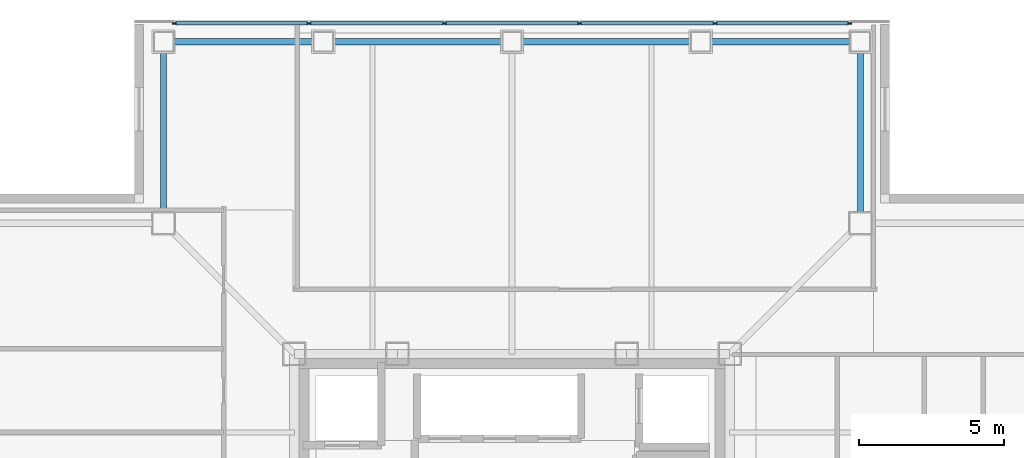
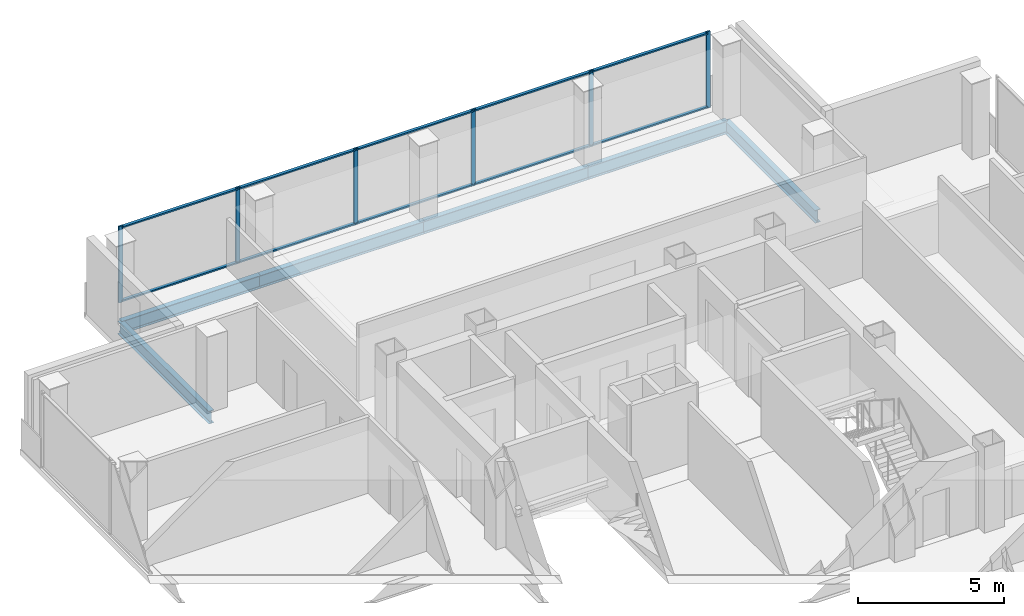
# One storey, part 7 of 16: 16 members, 6 beams, 1 element without a shape of its own.
"""IFC4 building model written with IfcOpenShell, lengths in metres."""

from ifc_helpers import new_model, si_unit, direction, frame, origin, origin_2d, place, context, subcontext, project, spatial, rectangle, i_section, extrude, material, layer, layer_set, material_profile, profile_set, type_object, element, aggregate, save


model = new_model("IFC4")

# Units and contexts
model_context = context("Model", 3, precision=1e-05, world=origin(), true_north=direction((0.0, 1.0)))
body_context = subcontext(model_context, "Body", "Model", "MODEL_VIEW")
ifc_project = project(units=[si_unit("LENGTHUNIT", "METRE"), si_unit("AREAUNIT", "SQUARE_METRE"), si_unit("VOLUMEUNIT", "CUBIC_METRE"), si_unit("PLANEANGLEUNIT", "RADIAN"), si_unit("MASSUNIT", "GRAM", prefix="KILO")], contexts=[model_context])

# Site, building, storey
site_placement = place(None, origin())
site = spatial("IfcSite", under=ifc_project, at=site_placement, CompositionType="ELEMENT")
building_placement = place(site_placement, origin())
building = spatial("IfcBuilding", under=site, at=building_placement, Name="Trevonay Congress Spire", CompositionType="ELEMENT")
storey_placement = place(building_placement, frame((0.0, 0.0, 297.199951171875)))
storey = spatial("IfcBuildingStorey", under=building, at=storey_placement, Name="L78", CompositionType="ELEMENT", Elevation=297.199951171875)

# Beams
ifc_material_1 = material(Name="Steel ASTM A572 Grade 50", Category="steel")
ifc_material_profile_1 = material_profile(ifc_material_1, i_section(OverallWidth=0.208984375, OverallDepth=0.532958984375, WebThickness=0.01025390625, FlangeThickness=0.015625, FilletRadius=0.014892578125, at=origin_2d()), Name="W530x92")
ifc_profile_set_1 = profile_set([ifc_material_profile_1], Name="Steel ASTM A572 Grade 50")
beam_type = type_object("IfcBeamType", Name="BM-RING-W530X92", PredefinedType="BEAM", material=ifc_profile_set_1)
beam_1_placement = place(storey_placement, frame((-12.0, 18.25, -0.50634765625), z_axis=(1.0, 0.0, 0.0), x_axis=(0.0, 1.0, 0.0)))
element("IfcBeam", 1, at=beam_1_placement, inside=storey, type_object=beam_type, Name="L78 structural beam BM-L78-PN1", PredefinedType="BEAM", context=body_context, shape_type="SweptSolid", body=[
    extrude(i_section(OverallWidth=0.208984375, OverallDepth=0.532958984375, WebThickness=0.01025390625, FlangeThickness=0.015625, FilletRadius=0.014892578125, at=origin_2d()), origin(), (0.0, 0.0, 1.0), 5.5),
])
for number, where, z_axis, x_axis, name in (
    (2, (-6.5, 18.25, -0.50634765625), (1.0, 0.0, 0.0), (0.0, 1.0, 0.0), "L78 structural beam BM-L78-PN2"),
    (3, (0.0, 18.25, -0.50634765625), (1.0, 0.0, 0.0), (0.0, 1.0, 0.0), "L78 structural beam BM-L78-PN3"),
):
    element("IfcBeam", number, at=place(storey_placement, frame(where, z_axis=z_axis, x_axis=x_axis)), inside=storey, type_object=beam_type, Name=name, PredefinedType="BEAM", context=body_context, shape_type="SweptSolid", body=[
        extrude(i_section(OverallWidth=0.208984375, OverallDepth=0.532958984375, WebThickness=0.01025390625, FlangeThickness=0.015625, FilletRadius=0.014892578125, at=origin_2d()), origin(), (0.0, 0.0, 1.0), 6.5),
    ])
beam_2_placement = place(storey_placement, frame((6.5, 18.25, -0.50634765625), z_axis=(1.0, 0.0, 0.0), x_axis=(0.0, 1.0, 0.0)))
element("IfcBeam", 4, at=beam_2_placement, inside=storey, type_object=beam_type, Name="L78 structural beam BM-L78-PN4", PredefinedType="BEAM", context=body_context, shape_type="SweptSolid", body=[
    extrude(i_section(OverallWidth=0.208984375, OverallDepth=0.532958984375, WebThickness=0.01025390625, FlangeThickness=0.015625, FilletRadius=0.014892578125, at=origin_2d()), origin(), (0.0, 0.0, 1.0), 5.5),
])
for number, where, z_axis, x_axis, name in (
    (5, (12.0, 18.25, -0.50634765625), (0.0, -1.0, 0.0), (1.0, 0.0, 0.0), "L78 structural beam BM-L78-N1NE"),
    (6, (-12.0, 18.25, -0.50634765625), (0.0, -1.0, 0.0), (1.0, 0.0, 0.0), "L78 structural beam BM-L78-N1NW"),
):
    element("IfcBeam", number, at=place(storey_placement, frame(where, z_axis=z_axis, x_axis=x_axis)), inside=storey, type_object=beam_type, Name=name, PredefinedType="BEAM", context=body_context, shape_type="SweptSolid", body=[
        extrude(i_section(OverallWidth=0.208984375, OverallDepth=0.532958984375, WebThickness=0.01025390625, FlangeThickness=0.015625, FilletRadius=0.014892578125, at=origin_2d()), origin(), (0.0, 0.0, 1.0), 6.25),
    ])

# Curtain wall, members
ifc_material_2 = material(Name="Pale Anodised Aluminium EN AW-6063-T6", Category="aluminium")
ifc_layer = layer(ifc_material_2, 0.1650390625, Name="Pale Anodised Aluminium EN AW-6063-T6")
ifc_layer_set = layer_set([ifc_layer], Name="Pale Anodised Aluminium EN AW-6063-T6")
curtain_wall_type = type_object("IfcCurtainWallType", Name="CW-SYS05-DIPLOM-PALE-METAL", PredefinedType="NOTDEFINED", material=ifc_layer_set)
curtain_wall_placement = place(storey_placement, origin())
curtain_wall = element("IfcCurtainWall", 7, at=curtain_wall_placement, inside=storey, type_object=curtain_wall_type, Name="L78 N unitised curtain wall", PredefinedType="NOTDEFINED")
ifc_material_profile_2 = material_profile(ifc_material_2, rectangle(XDim=0.06005859375, YDim=0.159912109375, at=origin_2d()), Name="CW-MULLION-160-ALUMINIUM")
ifc_profile_set_2 = profile_set([ifc_material_profile_2], Name="Pale Anodised Aluminium EN AW-6063-T6")
member_type_1 = type_object("IfcMemberType", Name="CW-MULLION-160-ALUMINIUM", PredefinedType="MULLION", material=ifc_profile_set_2)
member_1_placement = place(storey_placement, frame((-11.6201171875, 18.8798828125, 0.0), z_axis=(0.0, 0.0, 1.0), x_axis=(0.0, 1.0, 0.0)))
member_1 = element("IfcMember", 8, at=member_1_placement, type_object=member_type_1, Name="CW05 mullion 1", PredefinedType="MULLION", context=body_context, shape_type="SweptSolid", body=[
    extrude(rectangle(XDim=0.06005859375, YDim=0.159912109375, at=origin_2d()), origin(), (0.0, 0.0, 1.0), 3.199951171875),
])
member_2_placement = place(storey_placement, frame((-6.989990234375, 18.8798828125, 0.0), z_axis=(0.0, 0.0, 1.0), x_axis=(0.0, 1.0, 0.0)))
member_2 = element("IfcMember", 9, at=member_2_placement, type_object=member_type_1, Name="CW05 mullion 2", PredefinedType="MULLION", context=body_context, shape_type="SweptSolid", body=[
    extrude(rectangle(XDim=0.06005859375, YDim=0.159912109375, at=origin_2d()), origin(), (0.0, 0.0, 1.0), 3.199951171875),
])
member_3_placement = place(storey_placement, frame((-2.330078125, 18.8798828125, 0.0), z_axis=(0.0, 0.0, 1.0), x_axis=(0.0, 1.0, 0.0)))
member_3 = element("IfcMember", 10, at=member_3_placement, type_object=member_type_1, Name="CW05 mullion 3", PredefinedType="MULLION", context=body_context, shape_type="SweptSolid", body=[
    extrude(rectangle(XDim=0.06005859375, YDim=0.159912109375, at=origin_2d()), origin(), (0.0, 0.0, 1.0), 3.199951171875),
])
member_4_placement = place(storey_placement, frame((2.330078125, 18.8798828125, 0.0), z_axis=(0.0, 0.0, 1.0), x_axis=(0.0, 1.0, 0.0)))
member_4 = element("IfcMember", 11, at=member_4_placement, type_object=member_type_1, Name="CW05 mullion 4", PredefinedType="MULLION", context=body_context, shape_type="SweptSolid", body=[
    extrude(rectangle(XDim=0.06005859375, YDim=0.159912109375, at=origin_2d()), origin(), (0.0, 0.0, 1.0), 3.199951171875),
])
member_5_placement = place(storey_placement, frame((6.989990234375, 18.8798828125, 0.0), z_axis=(0.0, 0.0, 1.0), x_axis=(0.0, 1.0, 0.0)))
member_5 = element("IfcMember", 12, at=member_5_placement, type_object=member_type_1, Name="CW05 mullion 5", PredefinedType="MULLION", context=body_context, shape_type="SweptSolid", body=[
    extrude(rectangle(XDim=0.06005859375, YDim=0.159912109375, at=origin_2d()), origin(), (0.0, 0.0, 1.0), 3.199951171875),
])
member_6_placement = place(storey_placement, frame((11.6201171875, 18.8798828125, 0.0), z_axis=(0.0, 0.0, 1.0), x_axis=(0.0, 1.0, 0.0)))
member_6 = element("IfcMember", 13, at=member_6_placement, type_object=member_type_1, Name="CW05 mullion 6", PredefinedType="MULLION", context=body_context, shape_type="SweptSolid", body=[
    extrude(rectangle(XDim=0.06005859375, YDim=0.159912109375, at=origin_2d()), origin(), (0.0, 0.0, 1.0), 3.199951171875),
])
ifc_material_profile_3 = material_profile(ifc_material_2, rectangle(XDim=0.1201171875, YDim=0.06005859375, at=origin_2d()), Name="CW-TRANSOM-120-ALUMINIUM")
ifc_profile_set_3 = profile_set([ifc_material_profile_3], Name="Pale Anodised Aluminium EN AW-6063-T6")
member_type_2 = type_object("IfcMemberType", Name="CW-TRANSOM-120-ALUMINIUM", PredefinedType="USERDEFINED", material=ifc_profile_set_3)
member_7_placement = place(storey_placement, frame((-11.590087890625, 18.8798828125, 0.06005859375), z_axis=(1.0, 0.0, 0.0), x_axis=(0.0, 1.0, 0.0)))
member_7 = element("IfcMember", 14, at=member_7_placement, type_object=member_type_2, Name="CW05 transom 1.1", ObjectType="TRANSOM", PredefinedType="USERDEFINED", context=body_context, shape_type="SweptSolid", body=[
    extrude(rectangle(XDim=0.1201171875, YDim=0.06005859375, at=origin_2d()), origin(), (0.0, 0.0, 1.0), 4.570068359375),
])
member_8_placement = place(storey_placement, frame((-11.590087890625, 18.8798828125, 3.14013671875), z_axis=(1.0, 0.0, 0.0), x_axis=(0.0, 1.0, 0.0)))
member_8 = element("IfcMember", 15, at=member_8_placement, type_object=member_type_2, Name="CW05 transom 1.2", ObjectType="TRANSOM", PredefinedType="USERDEFINED", context=body_context, shape_type="SweptSolid", body=[
    extrude(rectangle(XDim=0.1201171875, YDim=0.06005859375, at=origin_2d()), origin(), (0.0, 0.0, 1.0), 4.570068359375),
])
member_9_placement = place(storey_placement, frame((-6.9599609375, 18.8798828125, 0.06005859375), z_axis=(1.0, 0.0, 0.0), x_axis=(0.0, 1.0, 0.0)))
member_9 = element("IfcMember", 16, at=member_9_placement, type_object=member_type_2, Name="CW05 transom 2.1", ObjectType="TRANSOM", PredefinedType="USERDEFINED", context=body_context, shape_type="SweptSolid", body=[
    extrude(rectangle(XDim=0.1201171875, YDim=0.06005859375, at=origin_2d()), origin(), (0.0, 0.0, 1.0), 4.599853515625),
])
member_10_placement = place(storey_placement, frame((-6.9599609375, 18.8798828125, 3.14013671875), z_axis=(1.0, 0.0, 0.0), x_axis=(0.0, 1.0, 0.0)))
member_10 = element("IfcMember", 17, at=member_10_placement, type_object=member_type_2, Name="CW05 transom 2.2", ObjectType="TRANSOM", PredefinedType="USERDEFINED", context=body_context, shape_type="SweptSolid", body=[
    extrude(rectangle(XDim=0.1201171875, YDim=0.06005859375, at=origin_2d()), origin(), (0.0, 0.0, 1.0), 4.599853515625),
])
member_11_placement = place(storey_placement, frame((-2.300048828125, 18.8798828125, 0.06005859375), z_axis=(1.0, 0.0, 0.0), x_axis=(0.0, 1.0, 0.0)))
member_11 = element("IfcMember", 18, at=member_11_placement, type_object=member_type_2, Name="CW05 transom 3.1", ObjectType="TRANSOM", PredefinedType="USERDEFINED", context=body_context, shape_type="SweptSolid", body=[
    extrude(rectangle(XDim=0.1201171875, YDim=0.06005859375, at=origin_2d()), origin(), (0.0, 0.0, 1.0), 4.60009765625),
])
member_12_placement = place(storey_placement, frame((-2.300048828125, 18.8798828125, 3.14013671875), z_axis=(1.0, 0.0, 0.0), x_axis=(0.0, 1.0, 0.0)))
member_12 = element("IfcMember", 19, at=member_12_placement, type_object=member_type_2, Name="CW05 transom 3.2", ObjectType="TRANSOM", PredefinedType="USERDEFINED", context=body_context, shape_type="SweptSolid", body=[
    extrude(rectangle(XDim=0.1201171875, YDim=0.06005859375, at=origin_2d()), origin(), (0.0, 0.0, 1.0), 4.60009765625),
])
member_13_placement = place(storey_placement, frame((2.360107421875, 18.8798828125, 0.06005859375), z_axis=(1.0, 0.0, 0.0), x_axis=(0.0, 1.0, 0.0)))
member_13 = element("IfcMember", 20, at=member_13_placement, type_object=member_type_2, Name="CW05 transom 4.1", ObjectType="TRANSOM", PredefinedType="USERDEFINED", context=body_context, shape_type="SweptSolid", body=[
    extrude(rectangle(XDim=0.1201171875, YDim=0.06005859375, at=origin_2d()), origin(), (0.0, 0.0, 1.0), 4.599853515625),
])
member_14_placement = place(storey_placement, frame((2.360107421875, 18.8798828125, 3.14013671875), z_axis=(1.0, 0.0, 0.0), x_axis=(0.0, 1.0, 0.0)))
member_14 = element("IfcMember", 21, at=member_14_placement, type_object=member_type_2, Name="CW05 transom 4.2", ObjectType="TRANSOM", PredefinedType="USERDEFINED", context=body_context, shape_type="SweptSolid", body=[
    extrude(rectangle(XDim=0.1201171875, YDim=0.06005859375, at=origin_2d()), origin(), (0.0, 0.0, 1.0), 4.599853515625),
])
member_15_placement = place(storey_placement, frame((7.02001953125, 18.8798828125, 0.06005859375), z_axis=(1.0, 0.0, 0.0), x_axis=(0.0, 1.0, 0.0)))
member_15 = element("IfcMember", 22, at=member_15_placement, type_object=member_type_2, Name="CW05 transom 5.1", ObjectType="TRANSOM", PredefinedType="USERDEFINED", context=body_context, shape_type="SweptSolid", body=[
    extrude(rectangle(XDim=0.1201171875, YDim=0.06005859375, at=origin_2d()), origin(), (0.0, 0.0, 1.0), 4.570068359375),
])
member_16_placement = place(storey_placement, frame((7.02001953125, 18.8798828125, 3.14013671875), z_axis=(1.0, 0.0, 0.0), x_axis=(0.0, 1.0, 0.0)))
member_16 = element("IfcMember", 23, at=member_16_placement, type_object=member_type_2, Name="CW05 transom 5.2", ObjectType="TRANSOM", PredefinedType="USERDEFINED", context=body_context, shape_type="SweptSolid", body=[
    extrude(rectangle(XDim=0.1201171875, YDim=0.06005859375, at=origin_2d()), origin(), (0.0, 0.0, 1.0), 4.570068359375),
])
aggregate(curtain_wall, [member_1, member_2, member_3, member_4, member_5, member_6, member_7, member_8, member_9, member_10, member_11, member_12, member_13, member_14, member_15, member_16])

save(model, "model.ifc")
